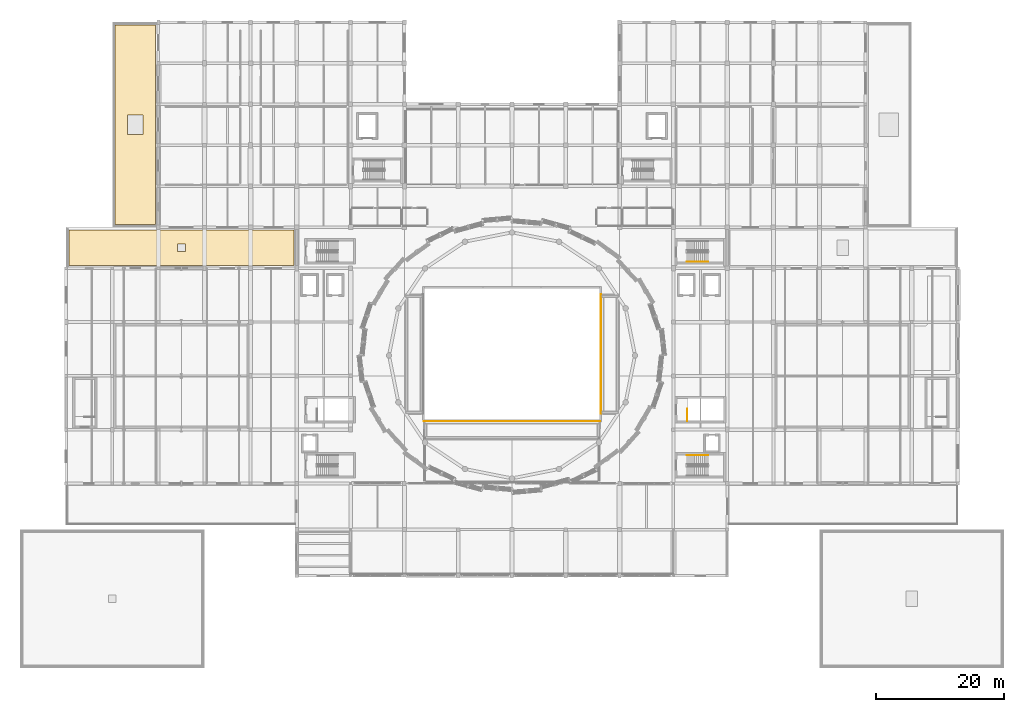
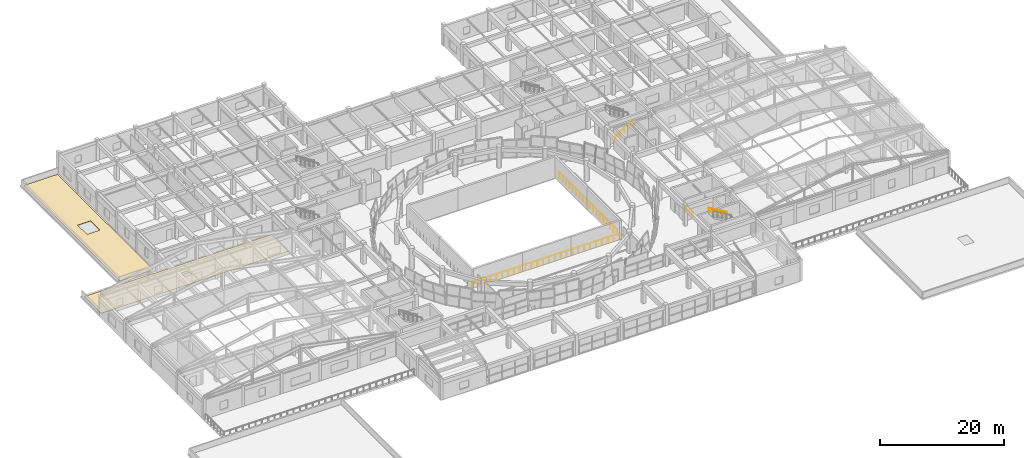
# One storey, part 71 of 74: 5 railings, 2 coverings.
"""IFC4 building model written with IfcOpenShell, lengths in metres."""

from ifc_helpers import new_model, si_unit, direction, frame, origin, origin_2d, place, context, subcontext, project, spatial, polyline, circle, outline, extrude, material, layer, layer_set, type_object, element, save


model = new_model("IFC4")

# Units and contexts
model_context = context("Model", 3, precision=1e-05, world=origin(), true_north=direction((0.0, 1.0)))
body_context = subcontext(model_context, "Body", "Model", "MODEL_VIEW")
ifc_project = project(units=[si_unit("LENGTHUNIT", "METRE"), si_unit("AREAUNIT", "SQUARE_METRE"), si_unit("VOLUMEUNIT", "CUBIC_METRE"), si_unit("PLANEANGLEUNIT", "RADIAN"), si_unit("MASSUNIT", "GRAM", prefix="KILO")], contexts=[model_context])

# Site, building, storey
site_placement = place(None, origin())
site = spatial("IfcSite", under=ifc_project, at=site_placement, CompositionType="ELEMENT")
building_placement = place(site_placement, origin())
building = spatial("IfcBuilding", under=site, at=building_placement, Name="Korsvaeld Concert Hall", CompositionType="ELEMENT")
storey_placement = place(building_placement, frame((0.0, 0.0, 9.0)))
storey = spatial("IfcBuildingStorey", under=building, at=storey_placement, Name="L02", CompositionType="ELEMENT", Elevation=9.0)

# Coverings
ifc_material_1 = material(Name="Patinated Nordic standing-seam copper roofing")
ifc_layer = layer(ifc_material_1, 0.06005859375)
ifc_layer_set = layer_set([ifc_layer], Name="Patinated Nordic standing-seam copper roofing")
covering_type = type_object("IfcCoveringType", Name="COV-ROOF-COPPER", PredefinedType="ROOFING", material=ifc_layer_set)
covering_1_placement = place(storey_placement, origin())
element("IfcCovering", 1, at=covering_1_placement, inside=storey, type_object=covering_type, Name="Patinated Nordic copper roof covering SLB-ROOF_L02_NW", PredefinedType="ROOFING", context=body_context, shape_type="SweptSolid", body=[
    extrude(outline(polyline([(22.050048828125, 83.64990234375), (22.050048828125, 114.75), (28.35009765625, 114.75), (28.35009765625, 83.64990234375), (22.050048828125, 83.64990234375)]), holes=[polyline([(24.0, 97.699951171875), (26.39990234375, 97.699951171875), (26.39990234375, 100.699951171875), (24.0, 100.699951171875), (24.0, 97.699951171875)])]), origin(), (0.0, 0.0, 1.0), 0.06005859375),
])
covering_2_placement = place(storey_placement, origin())
element("IfcCovering", 2, at=covering_2_placement, inside=storey, type_object=covering_type, Name="Patinated Nordic copper roof covering SLB-ROOF_L02_V3N", PredefinedType="ROOFING", context=body_context, shape_type="SweptSolid", body=[
    extrude(outline(polyline([(14.85009765625, 77.25), (14.85009765625, 82.75), (49.949951171875, 82.75), (49.949951171875, 77.25), (14.85009765625, 77.25)]), holes=[polyline([(31.800048828125, 79.39990234375), (33.0, 79.39990234375), (33.0, 80.60009765625), (31.800048828125, 80.60009765625), (31.800048828125, 79.39990234375)])]), origin(), (0.0, 0.0, 1.0), 0.06005859375),
])

# Railings
ifc_material_2 = material(Name="Powder-coated steel and bronze stair guardrail", Category="steel")
railing_type_1 = type_object("IfcRailingType", Name="RL-STAIR-GUARD-120", PredefinedType="GUARDRAIL", material=ifc_material_2)
railing_1_placement = place(storey_placement, frame((111.3701171875, 52.969970703125, 0.0)))
element("IfcRailing", 3, at=railing_1_placement, inside=storey, type_object=railing_type_1, Name="L02 ST-F2 top well guard 1", PredefinedType="GUARDRAIL", context=body_context, shape_type="SweptSolid", body=[
    extrude(circle(Radius=0.02392578125, at=origin_2d()), frame((0.0, 0.0, 1.076171875), z_axis=(0.0, 1.0, 0.0), x_axis=(-1.0, 0.0, 0.0)), (0.0, 0.0, 1.0), 1.85009765625),
    extrude(circle(Radius=0.02099609375, at=origin_2d()), origin(), (0.0, 0.0, 1.0), 1.052001953125),
    extrude(circle(Radius=0.02099609375, at=origin_2d()), frame((0.0, 0.925048828125, 0.0)), (0.0, 0.0, 1.0), 1.052001953125),
    extrude(circle(Radius=0.02099609375, at=origin_2d()), frame((0.0, 1.85009765625, 0.0)), (0.0, 0.0, 1.0), 1.052001953125),
])
ifc_material_3 = material(Name="European oak and bronze stair handrail")
railing_type_2 = type_object("IfcRailingType", Name="RL-STAIR-HAND-90", PredefinedType="HANDRAIL", material=ifc_material_3)
railing_2_placement = place(storey_placement, frame((111.320068359375, 77.820068359375, 0.175048828125)))
element("IfcRailing", 4, at=railing_2_placement, inside=storey, type_object=railing_type_2, Name="L02 ST-K2 stair handrail 1", PredefinedType="HANDRAIL", context=body_context, shape_type="SweptSolid", body=[
    extrude(circle(Radius=0.02392578125, at=origin_2d()), frame((0.0, 0.0, 0.8759765625), z_axis=(0.863776583165, 0.0, 0.503874998761), x_axis=(0.0, 1.0, 0.0)), (0.0, 0.0, 1.0), 3.820556640625),
    extrude(circle(Radius=0.02099609375, at=origin_2d()), origin(), (0.0, 0.0, 1.0), 0.851806640625),
    extrude(circle(Radius=0.02099609375, at=origin_2d()), frame((0.824951171875, 0.0, 0.481201171875)), (0.0, 0.0, 1.0), 0.851806640625),
    extrude(circle(Radius=0.02099609375, at=origin_2d()), frame((1.64990234375, 0.0, 0.96240234375)), (0.0, 0.0, 1.0), 0.851806640625),
    extrude(circle(Radius=0.02099609375, at=origin_2d()), frame((2.47509765625, 0.0, 1.44384765625)), (0.0, 0.0, 1.0), 0.851806640625),
    extrude(circle(Radius=0.02099609375, at=origin_2d()), frame((3.300048828125, 0.0, 1.925048828125)), (0.0, 0.0, 1.0), 0.851806640625),
])
railing_3_placement = place(storey_placement, frame((114.6201171875, 47.6201171875, 2.27490234375)))
element("IfcRailing", 5, at=railing_3_placement, inside=storey, type_object=railing_type_2, Name="L02 ST-K4 stair handrail 2", PredefinedType="HANDRAIL", context=body_context, shape_type="SweptSolid", body=[
    extrude(circle(Radius=0.02392578125, at=origin_2d()), frame((0.0, 0.0, 0.8759765625), z_axis=(-0.863776583165, 0.0, 0.503874998761), x_axis=(0.0, -1.0, 0.0)), (0.0, 0.0, 1.0), 3.820556640625),
    extrude(circle(Radius=0.02099609375, at=origin_2d()), origin(), (0.0, 0.0, 1.0), 0.851806640625),
    extrude(circle(Radius=0.02099609375, at=origin_2d()), frame((-0.824951171875, 0.0, 0.481201171875)), (0.0, 0.0, 1.0), 0.851806640625),
    extrude(circle(Radius=0.02099609375, at=origin_2d()), frame((-1.64990234375, 0.0, 0.96240234375)), (0.0, 0.0, 1.0), 0.851806640625),
    extrude(circle(Radius=0.02099609375, at=origin_2d()), frame((-2.47509765625, 0.0, 1.44384765625)), (0.0, 0.0, 1.0), 0.851806640625),
    extrude(circle(Radius=0.02099609375, at=origin_2d()), frame((-3.300048828125, 0.0, 1.925048828125)), (0.0, 0.0, 1.0), 0.851806640625),
])
ifc_material_4 = material(Name="Acoustic laminated glass and oak auditorium balustrade", Category="glass")
railing_type_3 = type_object("IfcRailingType", Name="RL-VOID-BAL-120", PredefinedType="BALUSTRADE", material=ifc_material_4)
railing_4_placement = place(storey_placement, frame((97.8798828125, 54.080078125, 0.449951171875)))
element("IfcRailing", 6, at=railing_4_placement, inside=storey, type_object=railing_type_3, Name="Auditorium acoustic balustrade V1-CIRC2-E", PredefinedType="BALUSTRADE", context=body_context, shape_type="SweptSolid", body=[
    extrude(circle(Radius=0.02392578125, at=origin_2d()), frame((0.0, 0.0, 1.17578125), z_axis=(0.0, 1.0, 0.0), x_axis=(-1.0, 0.0, 0.0)), (0.0, 0.0, 1.0), 18.639892578125),
    extrude(circle(Radius=0.02099609375, at=origin_2d()), origin(), (0.0, 0.0, 1.0), 1.15185546875),
    extrude(circle(Radius=0.02099609375, at=origin_2d()), frame((0.0, 1.096435546875, 0.0)), (0.0, 0.0, 1.0), 1.15185546875),
    extrude(circle(Radius=0.02099609375, at=origin_2d()), frame((0.0, 2.19287109375, 0.0)), (0.0, 0.0, 1.0), 1.15185546875),
    extrude(circle(Radius=0.02099609375, at=origin_2d()), frame((0.0, 3.289306640625, 0.0)), (0.0, 0.0, 1.0), 1.15185546875),
    extrude(circle(Radius=0.02099609375, at=origin_2d()), frame((0.0, 4.3857421875, 0.0)), (0.0, 0.0, 1.0), 1.15185546875),
    extrude(circle(Radius=0.02099609375, at=origin_2d()), frame((0.0, 5.482421875, 0.0)), (0.0, 0.0, 1.0), 1.15185546875),
    extrude(circle(Radius=0.02099609375, at=origin_2d()), frame((0.0, 6.578857421875, 0.0)), (0.0, 0.0, 1.0), 1.15185546875),
    extrude(circle(Radius=0.02099609375, at=origin_2d()), frame((0.0, 7.67529296875, 0.0)), (0.0, 0.0, 1.0), 1.15185546875),
    extrude(circle(Radius=0.02099609375, at=origin_2d()), frame((0.0, 8.771728515625, 0.0)), (0.0, 0.0, 1.0), 1.15185546875),
    extrude(circle(Radius=0.02099609375, at=origin_2d()), frame((0.0, 9.8681640625, 0.0)), (0.0, 0.0, 1.0), 1.15185546875),
    extrude(circle(Radius=0.02099609375, at=origin_2d()), frame((0.0, 10.964599609375, 0.0)), (0.0, 0.0, 1.0), 1.15185546875),
    extrude(circle(Radius=0.02099609375, at=origin_2d()), frame((0.0, 12.06103515625, 0.0)), (0.0, 0.0, 1.0), 1.15185546875),
    extrude(circle(Radius=0.02099609375, at=origin_2d()), frame((0.0, 13.157470703125, 0.0)), (0.0, 0.0, 1.0), 1.15185546875),
    extrude(circle(Radius=0.02099609375, at=origin_2d()), frame((0.0, 14.254150390625, 0.0)), (0.0, 0.0, 1.0), 1.15185546875),
    extrude(circle(Radius=0.02099609375, at=origin_2d()), frame((0.0, 15.3505859375, 0.0)), (0.0, 0.0, 1.0), 1.15185546875),
    extrude(circle(Radius=0.02099609375, at=origin_2d()), frame((0.0, 16.447021484375, 0.0)), (0.0, 0.0, 1.0), 1.15185546875),
    extrude(circle(Radius=0.02099609375, at=origin_2d()), frame((0.0, 17.54345703125, 0.0)), (0.0, 0.0, 1.0), 1.15185546875),
    extrude(circle(Radius=0.02099609375, at=origin_2d()), frame((0.0, 18.639892578125, 0.0)), (0.0, 0.0, 1.0), 1.15185546875),
])
railing_5_placement = place(storey_placement, frame((70.280029296875, 52.919921875, 0.449951171875)))
element("IfcRailing", 7, at=railing_5_placement, inside=storey, type_object=railing_type_3, Name="Auditorium acoustic balustrade V1-CIRC2-S", PredefinedType="BALUSTRADE", context=body_context, shape_type="SweptSolid", body=[
    extrude(circle(Radius=0.02392578125, at=origin_2d()), frame((0.0, 0.0, 1.17578125), z_axis=(1.0, 0.0, 0.0), x_axis=(0.0, 1.0, 0.0)), (0.0, 0.0, 1.0), 27.43994140625),
    extrude(circle(Radius=0.02099609375, at=origin_2d()), origin(), (0.0, 0.0, 1.0), 1.15185546875),
    extrude(circle(Radius=0.02099609375, at=origin_2d()), frame((1.09765625, 0.0, 0.0)), (0.0, 0.0, 1.0), 1.15185546875),
    extrude(circle(Radius=0.02099609375, at=origin_2d()), frame((2.1953125, 0.0, 0.0)), (0.0, 0.0, 1.0), 1.15185546875),
    extrude(circle(Radius=0.02099609375, at=origin_2d()), frame((3.292724609375, 0.0, 0.0)), (0.0, 0.0, 1.0), 1.15185546875),
    extrude(circle(Radius=0.02099609375, at=origin_2d()), frame((4.390380859375, 0.0, 0.0)), (0.0, 0.0, 1.0), 1.15185546875),
    extrude(circle(Radius=0.02099609375, at=origin_2d()), frame((5.488037109375, 0.0, 0.0)), (0.0, 0.0, 1.0), 1.15185546875),
    extrude(circle(Radius=0.02099609375, at=origin_2d()), frame((6.585693359375, 0.0, 0.0)), (0.0, 0.0, 1.0), 1.15185546875),
    extrude(circle(Radius=0.02099609375, at=origin_2d()), frame((7.68310546875, 0.0, 0.0)), (0.0, 0.0, 1.0), 1.15185546875),
    extrude(circle(Radius=0.02099609375, at=origin_2d()), frame((8.78076171875, 0.0, 0.0)), (0.0, 0.0, 1.0), 1.15185546875),
    extrude(circle(Radius=0.02099609375, at=origin_2d()), frame((9.87841796875, 0.0, 0.0)), (0.0, 0.0, 1.0), 1.15185546875),
    extrude(circle(Radius=0.02099609375, at=origin_2d()), frame((10.97607421875, 0.0, 0.0)), (0.0, 0.0, 1.0), 1.15185546875),
    extrude(circle(Radius=0.02099609375, at=origin_2d()), frame((12.073486328125, 0.0, 0.0)), (0.0, 0.0, 1.0), 1.15185546875),
    extrude(circle(Radius=0.02099609375, at=origin_2d()), frame((13.171142578125, 0.0, 0.0)), (0.0, 0.0, 1.0), 1.15185546875),
    extrude(circle(Radius=0.02099609375, at=origin_2d()), frame((14.268798828125, 0.0, 0.0)), (0.0, 0.0, 1.0), 1.15185546875),
    extrude(circle(Radius=0.02099609375, at=origin_2d()), frame((15.366455078125, 0.0, 0.0)), (0.0, 0.0, 1.0), 1.15185546875),
    extrude(circle(Radius=0.02099609375, at=origin_2d()), frame((16.4638671875, 0.0, 0.0)), (0.0, 0.0, 1.0), 1.15185546875),
    extrude(circle(Radius=0.02099609375, at=origin_2d()), frame((17.5615234375, 0.0, 0.0)), (0.0, 0.0, 1.0), 1.15185546875),
    extrude(circle(Radius=0.02099609375, at=origin_2d()), frame((18.6591796875, 0.0, 0.0)), (0.0, 0.0, 1.0), 1.15185546875),
    extrude(circle(Radius=0.02099609375, at=origin_2d()), frame((19.7568359375, 0.0, 0.0)), (0.0, 0.0, 1.0), 1.15185546875),
    extrude(circle(Radius=0.02099609375, at=origin_2d()), frame((20.854248046875, 0.0, 0.0)), (0.0, 0.0, 1.0), 1.15185546875),
    extrude(circle(Radius=0.02099609375, at=origin_2d()), frame((21.951904296875, 0.0, 0.0)), (0.0, 0.0, 1.0), 1.15185546875),
    extrude(circle(Radius=0.02099609375, at=origin_2d()), frame((23.049560546875, 0.0, 0.0)), (0.0, 0.0, 1.0), 1.15185546875),
    extrude(circle(Radius=0.02099609375, at=origin_2d()), frame((24.147216796875, 0.0, 0.0)), (0.0, 0.0, 1.0), 1.15185546875),
    extrude(circle(Radius=0.02099609375, at=origin_2d()), frame((25.24462890625, 0.0, 0.0)), (0.0, 0.0, 1.0), 1.15185546875),
    extrude(circle(Radius=0.02099609375, at=origin_2d()), frame((26.34228515625, 0.0, 0.0)), (0.0, 0.0, 1.0), 1.15185546875),
    extrude(circle(Radius=0.02099609375, at=origin_2d()), frame((27.43994140625, 0.0, 0.0)), (0.0, 0.0, 1.0), 1.15185546875),
])

save(model, "model.ifc")
